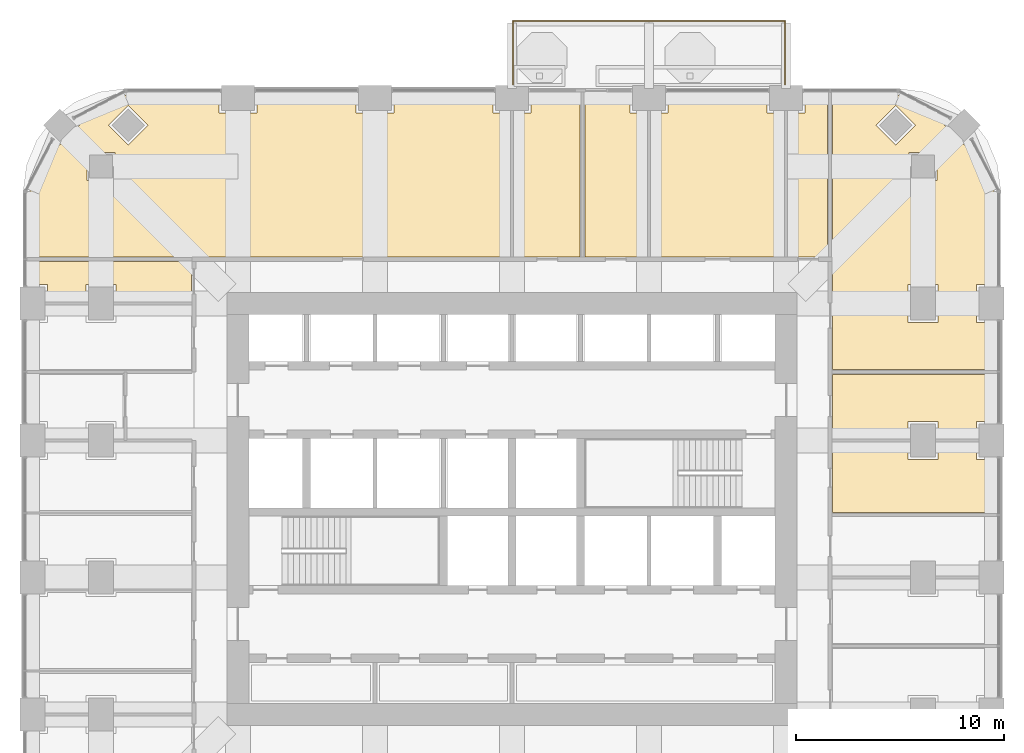
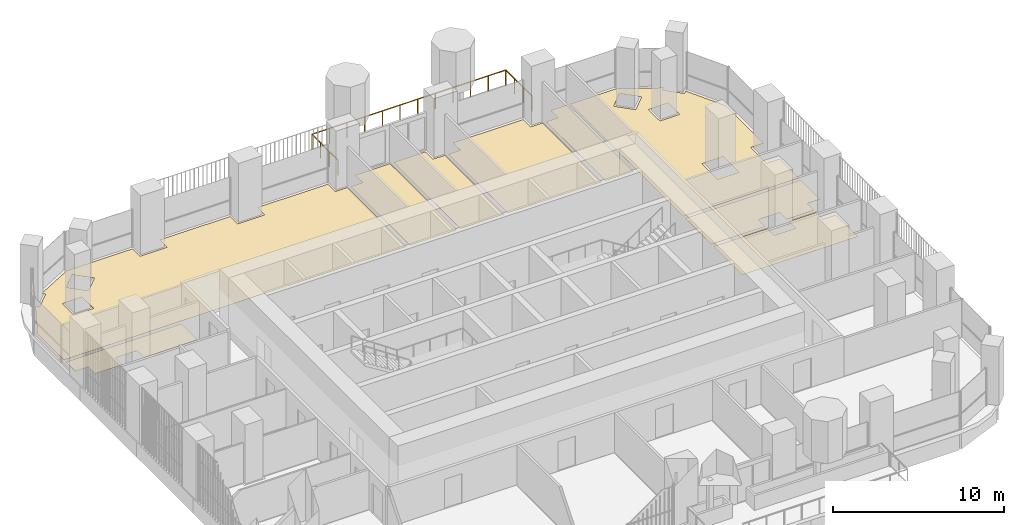
# One storey, part 19 of 20: 9 coverings, 1 railing.
"""IFC4 building model written with IfcOpenShell, lengths in metres."""

from ifc_helpers import new_model, si_unit, direction, frame, origin, place, context, subcontext, project, spatial, polyline, outline, extrude, material, layer, layer_set, type_object, element, save


model = new_model("IFC4")

# Units and contexts
model_context = context("Model", 3, precision=1e-05, world=origin(), true_north=direction((0.0, 1.0)))
body_context = subcontext(model_context, "Body", "Model", "MODEL_VIEW")
ifc_project = project(units=[si_unit("LENGTHUNIT", "METRE"), si_unit("AREAUNIT", "SQUARE_METRE"), si_unit("VOLUMEUNIT", "CUBIC_METRE"), si_unit("PLANEANGLEUNIT", "RADIAN"), si_unit("MASSUNIT", "GRAM", prefix="KILO")], contexts=[model_context])

# Site, building, storey
site_placement = place(None, origin())
site = spatial("IfcSite", under=ifc_project, at=site_placement, CompositionType="ELEMENT")
building_placement = place(site_placement, origin())
building = spatial("IfcBuilding", under=site, at=building_placement, Name="Cobogo Forest Laboratory Tower", CompositionType="ELEMENT")
storey_placement = place(building_placement, frame((0.0, 0.0, 189.300048828125)))
storey = spatial("IfcBuildingStorey", under=building, at=storey_placement, Name="L43", CompositionType="ELEMENT", Elevation=189.300048828125)

# Railing
ifc_material_1 = material(Name="Laminated glass balustrade", Category="glass")
railing_type = type_object("IfcRailingType", Name="BG1 glass balustrade 1100", PredefinedType="GUARDRAIL", material=ifc_material_1)
railing_placement = place(storey_placement, frame((26.449951171875, 43.550048828125, 0.0)))
element("IfcRailing", 1, at=railing_placement, inside=storey, type_object=railing_type, Name="Balcony balustrade BAL-N1 L43", PredefinedType="GUARDRAIL", context=body_context, shape_type="SweptSolid", body=[
    extrude(outline(polyline([(0.022216796875, 0.00927734375), (0.00927734375, 0.022216796875), (-0.00927734375, 0.022216796875), (-0.022216796875, 0.00927734375), (-0.022216796875, -0.00927734375), (-0.00927734375, -0.022216796875), (0.00927734375, -0.022216796875), (0.022216796875, -0.00927734375), (0.022216796875, 0.00927734375)])), frame((0.0, 0.0, 1.077880859375), z_axis=(0.0, 1.0, 0.0), x_axis=(-1.0, 0.0, 0.0)), (0.0, 0.0, 1.0), 3.050048828125),
    extrude(outline(polyline([(0.022216796875, 0.00927734375), (0.00927734375, 0.022216796875), (-0.00927734375, 0.022216796875), (-0.022216796875, 0.00927734375), (-0.022216796875, -0.00927734375), (-0.00927734375, -0.022216796875), (0.00927734375, -0.022216796875), (0.022216796875, -0.00927734375), (0.022216796875, 0.00927734375)])), frame((0.0, 3.050048828125, 1.077880859375), z_axis=(1.0, 0.0, 0.0), x_axis=(0.0, 1.0, 0.0)), (0.0, 0.0, 1.0), 13.10009765625),
    extrude(outline(polyline([(0.022216796875, 0.00927734375), (0.00927734375, 0.022216796875), (-0.00927734375, 0.022216796875), (-0.022216796875, 0.00927734375), (-0.022216796875, -0.00927734375), (-0.00927734375, -0.022216796875), (0.00927734375, -0.022216796875), (0.022216796875, -0.00927734375), (0.022216796875, 0.00927734375)])), frame((13.10009765625, 3.050048828125, 1.077880859375), z_axis=(0.0, -1.0, 0.0), x_axis=(1.0, 0.0, 0.0)), (0.0, 0.0, 1.0), 3.050048828125),
    extrude(outline(polyline([(0.019287109375, 0.008056640625), (0.008056640625, 0.019287109375), (-0.008056640625, 0.019287109375), (-0.019287109375, 0.008056640625), (-0.019287109375, -0.008056640625), (-0.008056640625, -0.019287109375), (0.008056640625, -0.019287109375), (0.019287109375, -0.008056640625), (0.019287109375, 0.008056640625)])), origin(), (0.0, 0.0, 1.0), 1.077880859375),
    extrude(outline(polyline([(0.019287109375, 0.008056640625), (0.008056640625, 0.019287109375), (-0.008056640625, 0.019287109375), (-0.019287109375, 0.008056640625), (-0.019287109375, -0.008056640625), (-0.008056640625, -0.019287109375), (0.008056640625, -0.019287109375), (0.019287109375, -0.008056640625), (0.019287109375, 0.008056640625)])), frame((0.0, 1.0166015625, 0.0)), (0.0, 0.0, 1.0), 1.077880859375),
    extrude(outline(polyline([(0.019287109375, 0.008056640625), (0.008056640625, 0.019287109375), (-0.008056640625, 0.019287109375), (-0.019287109375, 0.008056640625), (-0.019287109375, -0.008056640625), (-0.008056640625, -0.019287109375), (0.008056640625, -0.019287109375), (0.019287109375, -0.008056640625), (0.019287109375, 0.008056640625)])), frame((0.0, 2.033447265625, 0.0)), (0.0, 0.0, 1.0), 1.077880859375),
    extrude(outline(polyline([(0.019287109375, 0.008056640625), (0.008056640625, 0.019287109375), (-0.008056640625, 0.019287109375), (-0.019287109375, 0.008056640625), (-0.019287109375, -0.008056640625), (-0.008056640625, -0.019287109375), (0.008056640625, -0.019287109375), (0.019287109375, -0.008056640625), (0.019287109375, 0.008056640625)])), frame((0.0, 3.050048828125, 0.0)), (0.0, 0.0, 1.0), 1.077880859375),
    extrude(outline(polyline([(0.019287109375, 0.008056640625), (0.008056640625, 0.019287109375), (-0.008056640625, 0.019287109375), (-0.019287109375, 0.008056640625), (-0.019287109375, -0.008056640625), (-0.008056640625, -0.019287109375), (0.008056640625, -0.019287109375), (0.019287109375, -0.008056640625), (0.019287109375, 0.008056640625)])), frame((1.19091796875, 3.050048828125, 0.0)), (0.0, 0.0, 1.0), 1.077880859375),
    extrude(outline(polyline([(0.019287109375, 0.008056640625), (0.008056640625, 0.019287109375), (-0.008056640625, 0.019287109375), (-0.019287109375, 0.008056640625), (-0.019287109375, -0.008056640625), (-0.008056640625, -0.019287109375), (0.008056640625, -0.019287109375), (0.019287109375, -0.008056640625), (0.019287109375, 0.008056640625)])), frame((2.3818359375, 3.050048828125, 0.0)), (0.0, 0.0, 1.0), 1.077880859375),
    extrude(outline(polyline([(0.019287109375, 0.008056640625), (0.008056640625, 0.019287109375), (-0.008056640625, 0.019287109375), (-0.019287109375, 0.008056640625), (-0.019287109375, -0.008056640625), (-0.008056640625, -0.019287109375), (0.008056640625, -0.019287109375), (0.019287109375, -0.008056640625), (0.019287109375, 0.008056640625)])), frame((3.57275390625, 3.050048828125, 0.0)), (0.0, 0.0, 1.0), 1.077880859375),
    extrude(outline(polyline([(0.019287109375, 0.008056640625), (0.008056640625, 0.019287109375), (-0.008056640625, 0.019287109375), (-0.019287109375, 0.008056640625), (-0.019287109375, -0.008056640625), (-0.008056640625, -0.019287109375), (0.008056640625, -0.019287109375), (0.019287109375, -0.008056640625), (0.019287109375, 0.008056640625)])), frame((4.763671875, 3.050048828125, 0.0)), (0.0, 0.0, 1.0), 1.077880859375),
    extrude(outline(polyline([(0.019287109375, 0.008056640625), (0.008056640625, 0.019287109375), (-0.008056640625, 0.019287109375), (-0.019287109375, 0.008056640625), (-0.019287109375, -0.008056640625), (-0.008056640625, -0.019287109375), (0.008056640625, -0.019287109375), (0.019287109375, -0.008056640625), (0.019287109375, 0.008056640625)])), frame((5.95458984375, 3.050048828125, 0.0)), (0.0, 0.0, 1.0), 1.077880859375),
    extrude(outline(polyline([(0.019287109375, 0.008056640625), (0.008056640625, 0.019287109375), (-0.008056640625, 0.019287109375), (-0.019287109375, 0.008056640625), (-0.019287109375, -0.008056640625), (-0.008056640625, -0.019287109375), (0.008056640625, -0.019287109375), (0.019287109375, -0.008056640625), (0.019287109375, 0.008056640625)])), frame((7.1455078125, 3.050048828125, 0.0)), (0.0, 0.0, 1.0), 1.077880859375),
    extrude(outline(polyline([(0.019287109375, 0.008056640625), (0.008056640625, 0.019287109375), (-0.008056640625, 0.019287109375), (-0.019287109375, 0.008056640625), (-0.019287109375, -0.008056640625), (-0.008056640625, -0.019287109375), (0.008056640625, -0.019287109375), (0.019287109375, -0.008056640625), (0.019287109375, 0.008056640625)])), frame((8.33642578125, 3.050048828125, 0.0)), (0.0, 0.0, 1.0), 1.077880859375),
    extrude(outline(polyline([(0.019287109375, 0.008056640625), (0.008056640625, 0.019287109375), (-0.008056640625, 0.019287109375), (-0.019287109375, 0.008056640625), (-0.019287109375, -0.008056640625), (-0.008056640625, -0.019287109375), (0.008056640625, -0.019287109375), (0.019287109375, -0.008056640625), (0.019287109375, 0.008056640625)])), frame((9.52734375, 3.050048828125, 0.0)), (0.0, 0.0, 1.0), 1.077880859375),
    extrude(outline(polyline([(0.019287109375, 0.008056640625), (0.008056640625, 0.019287109375), (-0.008056640625, 0.019287109375), (-0.019287109375, 0.008056640625), (-0.019287109375, -0.008056640625), (-0.008056640625, -0.019287109375), (0.008056640625, -0.019287109375), (0.019287109375, -0.008056640625), (0.019287109375, 0.008056640625)])), frame((10.71826171875, 3.050048828125, 0.0)), (0.0, 0.0, 1.0), 1.077880859375),
    extrude(outline(polyline([(0.019287109375, 0.008056640625), (0.008056640625, 0.019287109375), (-0.008056640625, 0.019287109375), (-0.019287109375, 0.008056640625), (-0.019287109375, -0.008056640625), (-0.008056640625, -0.019287109375), (0.008056640625, -0.019287109375), (0.019287109375, -0.008056640625), (0.019287109375, 0.008056640625)])), frame((11.9091796875, 3.050048828125, 0.0)), (0.0, 0.0, 1.0), 1.077880859375),
    extrude(outline(polyline([(0.019287109375, 0.008056640625), (0.008056640625, 0.019287109375), (-0.008056640625, 0.019287109375), (-0.019287109375, 0.008056640625), (-0.019287109375, -0.008056640625), (-0.008056640625, -0.019287109375), (0.008056640625, -0.019287109375), (0.019287109375, -0.008056640625), (0.019287109375, 0.008056640625)])), frame((13.10009765625, 3.050048828125, 0.0)), (0.0, 0.0, 1.0), 1.077880859375),
    extrude(outline(polyline([(0.019287109375, 0.008056640625), (0.008056640625, 0.019287109375), (-0.008056640625, 0.019287109375), (-0.019287109375, 0.008056640625), (-0.019287109375, -0.008056640625), (-0.008056640625, -0.019287109375), (0.008056640625, -0.019287109375), (0.019287109375, -0.008056640625), (0.019287109375, 0.008056640625)])), frame((13.10009765625, 2.033447265625, 0.0)), (0.0, 0.0, 1.0), 1.077880859375),
    extrude(outline(polyline([(0.019287109375, 0.008056640625), (0.008056640625, 0.019287109375), (-0.008056640625, 0.019287109375), (-0.019287109375, 0.008056640625), (-0.019287109375, -0.008056640625), (-0.008056640625, -0.019287109375), (0.008056640625, -0.019287109375), (0.019287109375, -0.008056640625), (0.019287109375, 0.008056640625)])), frame((13.10009765625, 1.0166015625, 0.0)), (0.0, 0.0, 1.0), 1.077880859375),
    extrude(outline(polyline([(0.019287109375, 0.008056640625), (0.008056640625, 0.019287109375), (-0.008056640625, 0.019287109375), (-0.019287109375, 0.008056640625), (-0.019287109375, -0.008056640625), (-0.008056640625, -0.019287109375), (0.008056640625, -0.019287109375), (0.019287109375, -0.008056640625), (0.019287109375, 0.008056640625)])), frame((13.10009765625, 0.0, 0.0)), (0.0, 0.0, 1.0), 1.077880859375),
])

# Coverings
ifc_material_2 = material(Name="Carpet tile on raised access floor", Category="flooring")
ifc_layer_1 = layer(ifc_material_2, 0.008056640625)
ifc_layer_set_1 = layer_set([ifc_layer_1], Name="CT1 carpet tile floor 8")
covering_type_1 = type_object("IfcCoveringType", Name="CT1 carpet tile floor 8", PredefinedType="FLOORING", material=ifc_layer_set_1)
covering_1_placement = place(storey_placement, origin())
element("IfcCovering", 2, at=covering_1_placement, inside=storey, type_object=covering_type_1, Name="Carpet floor L43-10", PredefinedType="FLOORING", context=body_context, shape_type="SweptSolid", body=[
    extrude(outline(polyline([(41.844970703125, 29.580078125), (49.64990234375, 29.580078125), (49.64990234375, 27.320068359375), (48.780029296875, 27.320068359375), (48.780029296875, 26.52001953125), (46.919921875, 26.52001953125), (46.919921875, 27.320068359375), (45.47998046875, 27.320068359375), (45.47998046875, 26.52001953125), (41.844970703125, 26.52001953125), (41.844970703125, 29.580078125)])), origin(), (0.0, 0.0, 1.0), 0.008056640625),
])
covering_2_placement = place(storey_placement, origin())
element("IfcCovering", 3, at=covering_2_placement, inside=storey, type_object=covering_type_1, Name="Carpet floor L43-12", PredefinedType="FLOORING", context=body_context, shape_type="SweptSolid", body=[
    extrude(outline(polyline([(3.14990234375, 35.2451171875), (3.14990234375, 38.350830078125), (4.440185546875, 40.812255859375), (4.617919921875, 40.634521484375), (5.5654296875, 41.58203125), (5.387939453125, 41.759765625), (7.84912109375, 43.050048828125), (12.280029296875, 43.050048828125), (12.280029296875, 42.179931640625), (14.1201171875, 42.179931640625), (14.1201171875, 43.050048828125), (18.8798828125, 43.050048828125), (18.8798828125, 42.179931640625), (20.719970703125, 42.179931640625), (20.719970703125, 43.050048828125), (25.47998046875, 43.050048828125), (25.47998046875, 42.179931640625), (26.280029296875, 42.179931640625), (26.280029296875, 35.2451171875), (3.14990234375, 35.2451171875)]), holes=[polyline([(7.91796875, 40.634521484375), (8.865478515625, 41.58203125), (7.91796875, 42.529541015625), (6.970458984375, 41.58203125), (7.91796875, 40.634521484375)]), polyline([(5.929931640625, 38.929931640625), (7.27001953125, 38.929931640625), (7.27001953125, 40.27001953125), (5.929931640625, 40.27001953125), (5.929931640625, 38.929931640625)])]), origin(), (0.0, 0.0, 1.0), 0.008056640625),
])
covering_3_placement = place(storey_placement, origin())
element("IfcCovering", 4, at=covering_3_placement, inside=storey, type_object=covering_type_1, Name="Carpet floor L43-13", PredefinedType="FLOORING", context=body_context, shape_type="SweptSolid", body=[
    extrude(outline(polyline([(26.52001953125, 35.2451171875), (26.52001953125, 42.179931640625), (27.320068359375, 42.179931640625), (27.320068359375, 43.050048828125), (29.679931640625, 43.050048828125), (29.679931640625, 35.2451171875), (26.52001953125, 35.2451171875)])), origin(), (0.0, 0.0, 1.0), 0.008056640625),
])
covering_4_placement = place(storey_placement, origin())
element("IfcCovering", 5, at=covering_4_placement, inside=storey, type_object=covering_type_1, Name="Carpet floor L43-16", PredefinedType="FLOORING", context=body_context, shape_type="SweptSolid", body=[
    extrude(outline(polyline([(39.719970703125, 35.2451171875), (39.719970703125, 42.179931640625), (40.52001953125, 42.179931640625), (40.52001953125, 43.050048828125), (41.60498046875, 43.050048828125), (41.60498046875, 35.2451171875), (39.719970703125, 35.2451171875)])), origin(), (0.0, 0.0, 1.0), 0.008056640625),
])
ifc_material_3 = material(Name="Static-dissipative vinyl flooring", Category="flooring")
ifc_layer_2 = layer(ifc_material_3, 0.0029296875)
ifc_layer_set_2 = layer_set([ifc_layer_2], Name="SD1 static-dissipative vinyl floor 3")
covering_type_2 = type_object("IfcCoveringType", Name="SD1 static-dissipative vinyl floor 3", PredefinedType="FLOORING", material=ifc_layer_set_2)
covering_5_placement = place(storey_placement, origin())
element("IfcCovering", 6, at=covering_5_placement, inside=storey, type_object=covering_type_2, Name="Static-dissipative floor L43-09", PredefinedType="FLOORING", context=body_context, shape_type="SweptSolid", body=[
    extrude(outline(polyline([(41.844970703125, 26.280029296875), (45.47998046875, 26.280029296875), (45.47998046875, 25.47998046875), (46.919921875, 25.47998046875), (46.919921875, 26.280029296875), (48.780029296875, 26.280029296875), (48.780029296875, 25.47998046875), (49.64990234375, 25.47998046875), (49.64990234375, 22.919921875), (41.844970703125, 22.919921875), (41.844970703125, 26.280029296875)])), origin(), (0.0, 0.0, 1.0), 0.0029296875),
])
covering_6_placement = place(storey_placement, origin())
element("IfcCovering", 7, at=covering_6_placement, inside=storey, type_object=covering_type_2, Name="Static-dissipative floor L43-11", PredefinedType="FLOORING", context=body_context, shape_type="SweptSolid", body=[
    extrude(outline(polyline([(41.844970703125, 43.050048828125), (44.95068359375, 43.050048828125), (47.412109375, 41.759765625), (47.234375, 41.58203125), (48.181884765625, 40.634521484375), (48.359619140625, 40.812255859375), (49.64990234375, 38.350830078125), (49.64990234375, 33.919921875), (48.780029296875, 33.919921875), (48.780029296875, 32.080078125), (49.64990234375, 32.080078125), (49.64990234375, 29.820068359375), (41.844970703125, 29.820068359375), (41.844970703125, 43.050048828125)]), holes=[polyline([(46.919921875, 32.080078125), (46.919921875, 33.919921875), (45.47998046875, 33.919921875), (45.47998046875, 32.080078125), (46.919921875, 32.080078125)]), polyline([(45.530029296875, 40.27001953125), (45.530029296875, 38.929931640625), (46.8701171875, 38.929931640625), (46.8701171875, 40.27001953125), (45.530029296875, 40.27001953125)]), polyline([(44.882080078125, 40.634521484375), (45.82958984375, 41.58203125), (44.882080078125, 42.529541015625), (43.9345703125, 41.58203125), (44.882080078125, 40.634521484375)])]), origin(), (0.0, 0.0, 1.0), 0.0029296875),
])
covering_7_placement = place(storey_placement, origin())
element("IfcCovering", 8, at=covering_7_placement, inside=storey, type_object=covering_type_2, Name="Static-dissipative floor L43-15", PredefinedType="FLOORING", context=body_context, shape_type="SweptSolid", body=[
    extrude(outline(polyline([(33.1201171875, 35.2451171875), (33.1201171875, 42.179931640625), (33.919921875, 42.179931640625), (33.919921875, 43.050048828125), (38.679931640625, 43.050048828125), (38.679931640625, 42.179931640625), (39.47998046875, 42.179931640625), (39.47998046875, 35.2451171875), (33.1201171875, 35.2451171875)])), origin(), (0.0, 0.0, 1.0), 0.0029296875),
])
covering_8_placement = place(storey_placement, origin())
element("IfcCovering", 9, at=covering_8_placement, inside=storey, type_object=covering_type_2, Name="Static-dissipative floor L43-24", PredefinedType="FLOORING", context=body_context, shape_type="SweptSolid", body=[
    extrude(outline(polyline([(10.955078125, 33.1201171875), (7.320068359375, 33.1201171875), (7.320068359375, 33.919921875), (5.8798828125, 33.919921875), (5.8798828125, 33.1201171875), (4.02001953125, 33.1201171875), (4.02001953125, 33.919921875), (3.14990234375, 33.919921875), (3.14990234375, 35.0048828125), (10.955078125, 35.0048828125), (10.955078125, 33.1201171875)])), origin(), (0.0, 0.0, 1.0), 0.0029296875),
])
ifc_material_4 = material(Name="Ceramic floor tile", Category="flooring")
ifc_layer_3 = layer(ifc_material_4, 0.010009765625)
ifc_layer_set_3 = layer_set([ifc_layer_3], Name="TF1 ceramic tile floor 10")
covering_type_3 = type_object("IfcCoveringType", Name="TF1 ceramic tile floor 10", PredefinedType="FLOORING", material=ifc_layer_set_3)
covering_9_placement = place(storey_placement, origin())
element("IfcCovering", 10, at=covering_9_placement, inside=storey, type_object=covering_type_3, Name="Tile floor L43-14", PredefinedType="FLOORING", context=body_context, shape_type="SweptSolid", body=[
    extrude(outline(polyline([(29.919921875, 35.2451171875), (29.919921875, 43.050048828125), (32.080078125, 43.050048828125), (32.080078125, 42.179931640625), (32.8798828125, 42.179931640625), (32.8798828125, 35.2451171875), (29.919921875, 35.2451171875)])), origin(), (0.0, 0.0, 1.0), 0.010009765625),
])

save(model, "model.ifc")
